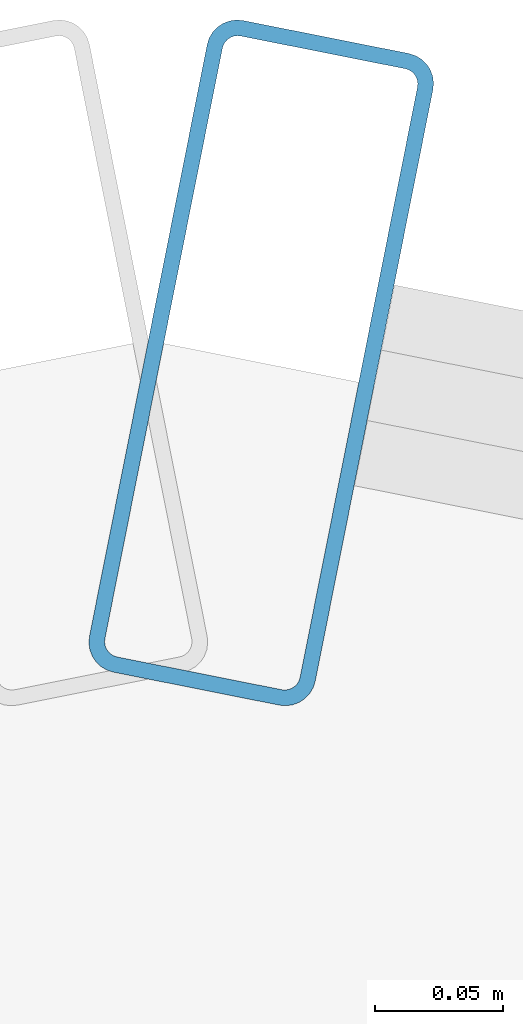
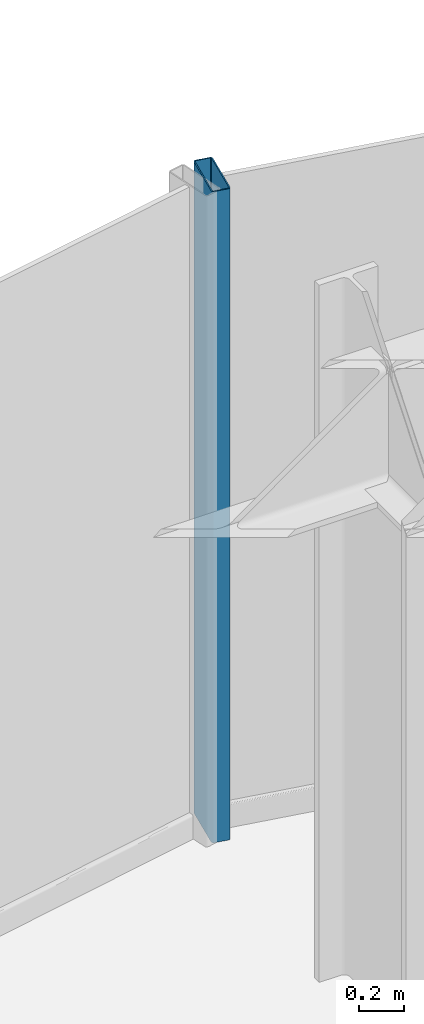
# One storey, part 15 of 23: 1 member, 1 element without a shape of its own.
"""IFC4 building model written with IfcOpenShell, lengths in metres."""

from ifc_helpers import new_model, si_unit, direction, frame, origin, origin_2d, place, context, subcontext, project, spatial, hollow_rectangle, extrude, source, transform, mapped, material, layer, layer_set, material_profile, profile_set, type_object, element, aggregate, save


model = new_model("IFC4")

# Units and contexts
model_context = context("Model", 3, precision=1e-05, world=origin(), true_north=direction((0.0, 1.0)))
body_context = subcontext(model_context, "Body", "Model", "MODEL_VIEW")
ifc_project = project(units=[si_unit("LENGTHUNIT", "METRE"), si_unit("AREAUNIT", "SQUARE_METRE"), si_unit("VOLUMEUNIT", "CUBIC_METRE"), si_unit("PLANEANGLEUNIT", "RADIAN"), si_unit("MASSUNIT", "GRAM", prefix="KILO")], contexts=[model_context])

# Site, building, storey
site_placement = place(None, origin())
site = spatial("IfcSite", under=ifc_project, at=site_placement, CompositionType="ELEMENT")
building_placement = place(site_placement, origin())
building = spatial("IfcBuilding", under=site, at=building_placement, Name="Nefas-Gora Pilgrimage Tower", CompositionType="ELEMENT")
storey_placement = place(building_placement, frame((0.0, 0.0, 175.39990234375)))
storey = spatial("IfcBuildingStorey", under=building, at=storey_placement, Name="L43", CompositionType="ELEMENT", Elevation=175.39990234375)

# Curtain wall, member
ifc_material_1 = material(Name="Dark ceramic-fritted solar-control aluminium-glass curtain wall", Category="aluminium")
ifc_layer = layer(ifc_material_1, 0.219970703125)
ifc_layer_set = layer_set([ifc_layer], Name="Dark ceramic-fritted solar-control aluminium-glass curtain wall")
curtain_wall_type = type_object("IfcCurtainWallType", Name="CW-SYS-5", PredefinedType="NOTDEFINED", material=ifc_layer_set)
curtain_wall_placement = place(storey_placement, origin())
curtain_wall = element("IfcCurtainWall", 1, at=curtain_wall_placement, inside=storey, type_object=curtain_wall_type, Name="L43 Unitised Curtain Wall CW5", PredefinedType="NOTDEFINED")
ifc_material_2 = material(Name="Anodised architectural aluminium", Category="aluminium")
ifc_material_profile = material_profile(ifc_material_2, hollow_rectangle(XDim=0.090087890625, YDim=0.260009765625, WallThickness=0.006103515625, InnerFilletRadius=0.006103515625, OuterFilletRadius=0.011962890625, at=origin_2d()), Name="ALU MULLION 90x260")
ifc_profile_set = profile_set([ifc_material_profile], Name="Anodised architectural aluminium")
member_type = type_object("IfcMemberType", Name="CWM-MUL-5", PredefinedType="MULLION", material=ifc_profile_set)
shared_shape = source(origin(), body_context, "Body", "SweptSolid", [
    extrude(hollow_rectangle(XDim=0.090087890625, YDim=0.260009765625, WallThickness=0.006103515625, InnerFilletRadius=0.006103515625, OuterFilletRadius=0.011962890625, at=origin_2d()), origin(), (0.0, 0.0, 1.0), 3.550048828125),
])
member_placement = place(storey_placement, frame((-2.205810546875, 24.16357421875, 0.0), z_axis=(0.0, 0.0, 1.0), x_axis=(-0.980782896852, 0.195102304554, 0.0)))
member = element("IfcMember", 2, at=member_placement, type_object=member_type, Name="CW5 Mullion 2", PredefinedType="MULLION", context=body_context, shape_type="MappedRepresentation", body=[
    mapped(shared_shape, transform((0.0, 0.0, 0.0), x_axis=(1.0, 0.0, 0.0), y_axis=(0.0, 1.0, 0.0), z_axis=(0.0, 0.0, 1.0), scale=1.0)),
])
aggregate(curtain_wall, [member])

save(model, "model.ifc")
